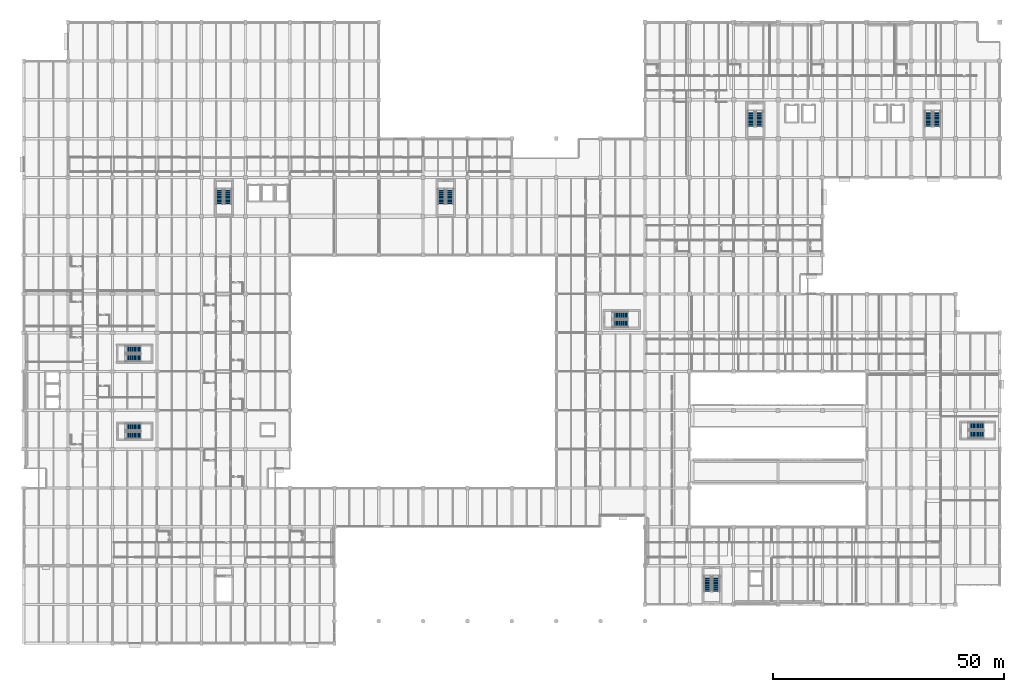
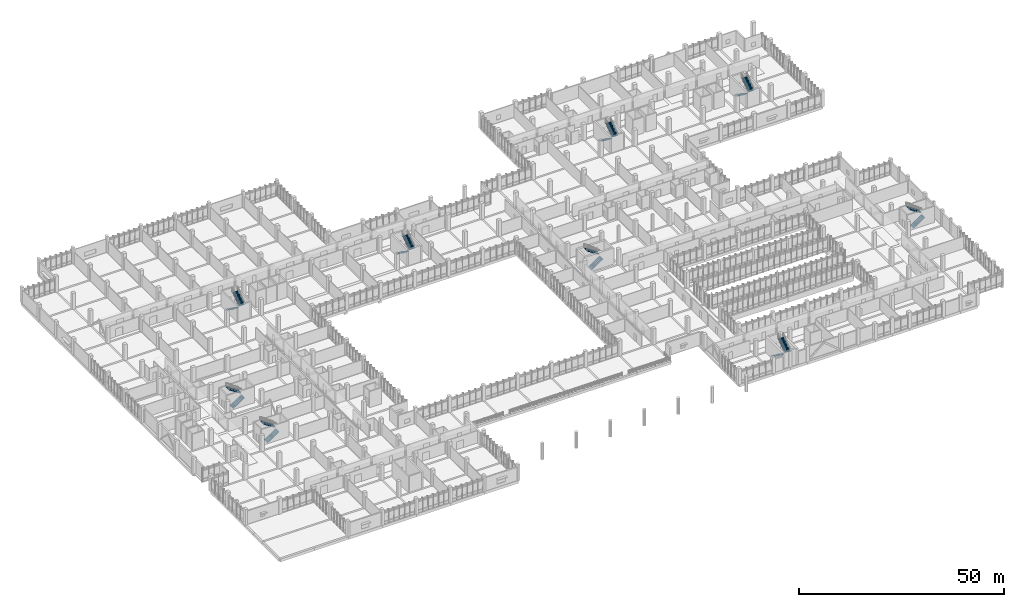
# One storey, part 135 of 152: 18 stair flights, 9 elements without a shape of their own.
"""IFC4 building model written with IfcOpenShell, lengths in metres."""

from ifc_helpers import new_model, si_unit, direction, frame, origin, place, context, subcontext, project, spatial, polyline, outline, extrude, material, type_object, element, aggregate, save


model = new_model("IFC4")

# Units and contexts
model_context = context("Model", 3, precision=1e-05, world=origin(), true_north=direction((0.0, 1.0)))
body_context = subcontext(model_context, "Body", "Model", "MODEL_VIEW")
ifc_project = project(units=[si_unit("LENGTHUNIT", "METRE"), si_unit("AREAUNIT", "SQUARE_METRE"), si_unit("VOLUMEUNIT", "CUBIC_METRE"), si_unit("PLANEANGLEUNIT", "RADIAN"), si_unit("MASSUNIT", "GRAM", prefix="KILO")], contexts=[model_context])

# Site, building, storey
site_placement = place(None, origin())
site = spatial("IfcSite", under=ifc_project, at=site_placement, CompositionType="ELEMENT")
building_placement = place(site_placement, origin())
building = spatial("IfcBuilding", under=site, at=building_placement, Name="Oolite Switchyard Hospital", CompositionType="ELEMENT")
storey_placement = place(building_placement, frame((0.0, 0.0, 5.10009765625)))
storey = spatial("IfcBuildingStorey", under=building, at=storey_placement, Name="L01", CompositionType="ELEMENT", Elevation=5.10009765625)

# Stair, stair flights
ifc_material = material(Name="Concrete C40/50", Category="concrete")
stair_type = type_object("IfcStairType", Name="STR-DL-156-R26", PredefinedType="HALF_TURN_STAIR", material=ifc_material)
stair_1_placement = place(storey_placement, origin())
stair_1 = element("IfcStair", 1, at=stair_1_placement, inside=storey, type_object=stair_type, Name="L01 Exit Stair ST-01", PredefinedType="HALF_TURN_STAIR")
stair_flight_type = type_object("IfcStairFlightType", Name="FLT-DL-156-R13", PredefinedType="STRAIGHT", material=ifc_material)
stair_flight_1_placement = place(storey_placement, frame((21.9599609375, 44.97998046875, 0.0), z_axis=(0.0, 0.0, 1.0), x_axis=(1.0, 0.0, 0.0)))
stair_flight_1 = element("IfcStairFlight", 2, at=stair_flight_1_placement, type_object=stair_flight_type, Name="ST-01 flight 1", NumberOfRisers=13, NumberOfTreads=12, PredefinedType="STRAIGHT", RiserHeight=0.184615385, TreadLength=0.28, context=body_context, shape_type="SweptSolid", body=[
    extrude(outline(polyline([(0.0, 0.0), (0.0, 0.1845703125), (0.280029296875, 0.1845703125), (0.280029296875, 0.369140625), (0.56005859375, 0.369140625), (0.56005859375, 0.553955078125), (0.840087890625, 0.553955078125), (0.840087890625, 0.738525390625), (1.1201171875, 0.738525390625), (1.1201171875, 0.923095703125), (1.39990234375, 0.923095703125), (1.39990234375, 1.107666015625), (1.679931640625, 1.107666015625), (1.679931640625, 1.292236328125), (1.9599609375, 1.292236328125), (1.9599609375, 1.476806640625), (2.239990234375, 1.476806640625), (2.239990234375, 1.66162109375), (2.52001953125, 1.66162109375), (2.52001953125, 1.84619140625), (2.800048828125, 1.84619140625), (2.800048828125, 2.03076171875), (3.080078125, 2.03076171875), (3.080078125, 2.21533203125), (3.360107421875, 2.21533203125), (3.360107421875, 2.39990234375), (3.360107421875, 2.035888671875), (0.272216796875, 0.0), (0.0, 0.0)])), frame((0.0, 0.780029296875, 0.0), z_axis=(0.0, -1.0, 0.0), x_axis=(1.0, 0.0, 0.0)), (0.0, 0.0, 1.0), 1.56005859375),
])
stair_flight_2_placement = place(storey_placement, frame((25.320068359375, 46.780029296875, 2.39990234375), z_axis=(0.0, 0.0, 1.0), x_axis=(-1.0, 0.0, 0.0)))
stair_flight_2 = element("IfcStairFlight", 3, at=stair_flight_2_placement, type_object=stair_flight_type, Name="ST-01 flight 2", NumberOfRisers=13, NumberOfTreads=12, PredefinedType="STRAIGHT", RiserHeight=0.184615385, TreadLength=0.28, context=body_context, shape_type="SweptSolid", body=[
    extrude(outline(polyline([(0.0, 0.0), (0.0, 0.1845703125), (0.280029296875, 0.1845703125), (0.280029296875, 0.369140625), (0.56005859375, 0.369140625), (0.56005859375, 0.553955078125), (0.840087890625, 0.553955078125), (0.840087890625, 0.738525390625), (1.1201171875, 0.738525390625), (1.1201171875, 0.923095703125), (1.39990234375, 0.923095703125), (1.39990234375, 1.107666015625), (1.679931640625, 1.107666015625), (1.679931640625, 1.292236328125), (1.9599609375, 1.292236328125), (1.9599609375, 1.476806640625), (2.239990234375, 1.476806640625), (2.239990234375, 1.66162109375), (2.52001953125, 1.66162109375), (2.52001953125, 1.84619140625), (2.800048828125, 1.84619140625), (2.800048828125, 2.03076171875), (3.080078125, 2.03076171875), (3.080078125, 2.21533203125), (3.360107421875, 2.21533203125), (3.360107421875, 2.39990234375), (3.360107421875, 2.035888671875), (0.272216796875, 0.0), (0.0, 0.0)])), frame((0.0, 0.780029296875, 0.0), z_axis=(0.0, -1.0, 0.0), x_axis=(1.0, 0.0, 0.0)), (0.0, 0.0, 1.0), 1.56005859375),
])
aggregate(stair_1, [stair_flight_1, stair_flight_2])

stair_2_placement = place(storey_placement, origin())
stair_2 = element("IfcStair", 4, at=stair_2_placement, inside=storey, type_object=stair_type, Name="L01 Exit Stair ST-02", PredefinedType="HALF_TURN_STAIR")
stair_flight_3_placement = place(storey_placement, frame((21.9599609375, 61.780029296875, 0.0), z_axis=(0.0, 0.0, 1.0), x_axis=(1.0, 0.0, 0.0)))
stair_flight_3 = element("IfcStairFlight", 5, at=stair_flight_3_placement, type_object=stair_flight_type, Name="ST-02 flight 1", NumberOfRisers=13, NumberOfTreads=12, PredefinedType="STRAIGHT", RiserHeight=0.184615385, TreadLength=0.28, context=body_context, shape_type="SweptSolid", body=[
    extrude(outline(polyline([(0.0, 0.0), (0.0, 0.1845703125), (0.280029296875, 0.1845703125), (0.280029296875, 0.369140625), (0.56005859375, 0.369140625), (0.56005859375, 0.553955078125), (0.840087890625, 0.553955078125), (0.840087890625, 0.738525390625), (1.1201171875, 0.738525390625), (1.1201171875, 0.923095703125), (1.39990234375, 0.923095703125), (1.39990234375, 1.107666015625), (1.679931640625, 1.107666015625), (1.679931640625, 1.292236328125), (1.9599609375, 1.292236328125), (1.9599609375, 1.476806640625), (2.239990234375, 1.476806640625), (2.239990234375, 1.66162109375), (2.52001953125, 1.66162109375), (2.52001953125, 1.84619140625), (2.800048828125, 1.84619140625), (2.800048828125, 2.03076171875), (3.080078125, 2.03076171875), (3.080078125, 2.21533203125), (3.360107421875, 2.21533203125), (3.360107421875, 2.39990234375), (3.360107421875, 2.035888671875), (0.272216796875, 0.0), (0.0, 0.0)])), frame((0.0, 0.780029296875, 0.0), z_axis=(0.0, -1.0, 0.0), x_axis=(1.0, 0.0, 0.0)), (0.0, 0.0, 1.0), 1.56005859375),
])
stair_flight_4_placement = place(storey_placement, frame((25.320068359375, 63.580078125, 2.39990234375), z_axis=(0.0, 0.0, 1.0), x_axis=(-1.0, 0.0, 0.0)))
stair_flight_4 = element("IfcStairFlight", 6, at=stair_flight_4_placement, type_object=stair_flight_type, Name="ST-02 flight 2", NumberOfRisers=13, NumberOfTreads=12, PredefinedType="STRAIGHT", RiserHeight=0.184615385, TreadLength=0.28, context=body_context, shape_type="SweptSolid", body=[
    extrude(outline(polyline([(0.0, 0.0), (0.0, 0.1845703125), (0.280029296875, 0.1845703125), (0.280029296875, 0.369140625), (0.56005859375, 0.369140625), (0.56005859375, 0.553955078125), (0.840087890625, 0.553955078125), (0.840087890625, 0.738525390625), (1.1201171875, 0.738525390625), (1.1201171875, 0.923095703125), (1.39990234375, 0.923095703125), (1.39990234375, 1.107666015625), (1.679931640625, 1.107666015625), (1.679931640625, 1.292236328125), (1.9599609375, 1.292236328125), (1.9599609375, 1.476806640625), (2.239990234375, 1.476806640625), (2.239990234375, 1.66162109375), (2.52001953125, 1.66162109375), (2.52001953125, 1.84619140625), (2.800048828125, 1.84619140625), (2.800048828125, 2.03076171875), (3.080078125, 2.03076171875), (3.080078125, 2.21533203125), (3.360107421875, 2.21533203125), (3.360107421875, 2.39990234375), (3.360107421875, 2.035888671875), (0.272216796875, 0.0), (0.0, 0.0)])), frame((0.0, 0.780029296875, 0.0), z_axis=(0.0, -1.0, 0.0), x_axis=(1.0, 0.0, 0.0)), (0.0, 0.0, 1.0), 1.56005859375),
])
aggregate(stair_2, [stair_flight_3, stair_flight_4])

stair_3_placement = place(storey_placement, origin())
stair_3 = element("IfcStair", 7, at=stair_3_placement, inside=storey, type_object=stair_type, Name="L01 Exit Stair ST-03", PredefinedType="HALF_TURN_STAIR")
stair_flight_5_placement = place(storey_placement, frame((157.3798828125, 115.18994140625, 0.0), z_axis=(0.0, 0.0, 1.0), x_axis=(0.0, -1.0, 0.0)))
stair_flight_5 = element("IfcStairFlight", 8, at=stair_flight_5_placement, type_object=stair_flight_type, Name="ST-03 flight 1", NumberOfRisers=13, NumberOfTreads=12, PredefinedType="STRAIGHT", RiserHeight=0.184615385, TreadLength=0.28, context=body_context, shape_type="SweptSolid", body=[
    extrude(outline(polyline([(0.0, 0.0), (0.0, 0.1845703125), (0.280029296875, 0.1845703125), (0.280029296875, 0.369140625), (0.56005859375, 0.369140625), (0.56005859375, 0.553955078125), (0.840087890625, 0.553955078125), (0.840087890625, 0.738525390625), (1.1201171875, 0.738525390625), (1.1201171875, 0.923095703125), (1.39990234375, 0.923095703125), (1.39990234375, 1.107666015625), (1.679931640625, 1.107666015625), (1.679931640625, 1.292236328125), (1.9599609375, 1.292236328125), (1.9599609375, 1.476806640625), (2.239990234375, 1.476806640625), (2.239990234375, 1.66162109375), (2.52001953125, 1.66162109375), (2.52001953125, 1.84619140625), (2.800048828125, 1.84619140625), (2.800048828125, 2.03076171875), (3.080078125, 2.03076171875), (3.080078125, 2.21533203125), (3.360107421875, 2.21533203125), (3.360107421875, 2.39990234375), (3.360107421875, 2.035888671875), (0.272216796875, 0.0), (0.0, 0.0)])), frame((0.0, 0.780029296875, 0.0), z_axis=(0.0, -1.0, 0.0), x_axis=(1.0, 0.0, 0.0)), (0.0, 0.0, 1.0), 1.56005859375),
])
stair_flight_6_placement = place(storey_placement, frame((159.179931640625, 111.830078125, 2.39990234375), z_axis=(0.0, 0.0, 1.0), x_axis=(0.0, 1.0, 0.0)))
stair_flight_6 = element("IfcStairFlight", 9, at=stair_flight_6_placement, type_object=stair_flight_type, Name="ST-03 flight 2", NumberOfRisers=13, NumberOfTreads=12, PredefinedType="STRAIGHT", RiserHeight=0.184615385, TreadLength=0.28, context=body_context, shape_type="SweptSolid", body=[
    extrude(outline(polyline([(0.0, 0.0), (0.0, 0.1845703125), (0.280029296875, 0.1845703125), (0.280029296875, 0.369140625), (0.56005859375, 0.369140625), (0.56005859375, 0.553955078125), (0.840087890625, 0.553955078125), (0.840087890625, 0.738525390625), (1.1201171875, 0.738525390625), (1.1201171875, 0.923095703125), (1.39990234375, 0.923095703125), (1.39990234375, 1.107666015625), (1.679931640625, 1.107666015625), (1.679931640625, 1.292236328125), (1.9599609375, 1.292236328125), (1.9599609375, 1.476806640625), (2.239990234375, 1.476806640625), (2.239990234375, 1.66162109375), (2.52001953125, 1.66162109375), (2.52001953125, 1.84619140625), (2.800048828125, 1.84619140625), (2.800048828125, 2.03076171875), (3.080078125, 2.03076171875), (3.080078125, 2.21533203125), (3.360107421875, 2.21533203125), (3.360107421875, 2.39990234375), (3.360107421875, 2.035888671875), (0.272216796875, 0.0), (0.0, 0.0)])), frame((0.0, 0.780029296875, 0.0), z_axis=(0.0, -1.0, 0.0), x_axis=(1.0, 0.0, 0.0)), (0.0, 0.0, 1.0), 1.56005859375),
])
aggregate(stair_3, [stair_flight_5, stair_flight_6])

stair_4_placement = place(storey_placement, origin())
stair_4 = element("IfcStair", 10, at=stair_4_placement, inside=storey, type_object=stair_type, Name="L01 Exit Stair ST-04", PredefinedType="HALF_TURN_STAIR")
stair_flight_7_placement = place(storey_placement, frame((195.780029296875, 115.18994140625, 0.0), z_axis=(0.0, 0.0, 1.0), x_axis=(0.0, -1.0, 0.0)))
stair_flight_7 = element("IfcStairFlight", 11, at=stair_flight_7_placement, type_object=stair_flight_type, Name="ST-04 flight 1", NumberOfRisers=13, NumberOfTreads=12, PredefinedType="STRAIGHT", RiserHeight=0.184615385, TreadLength=0.28, context=body_context, shape_type="SweptSolid", body=[
    extrude(outline(polyline([(0.0, 0.0), (0.0, 0.1845703125), (0.280029296875, 0.1845703125), (0.280029296875, 0.369140625), (0.56005859375, 0.369140625), (0.56005859375, 0.553955078125), (0.840087890625, 0.553955078125), (0.840087890625, 0.738525390625), (1.1201171875, 0.738525390625), (1.1201171875, 0.923095703125), (1.39990234375, 0.923095703125), (1.39990234375, 1.107666015625), (1.679931640625, 1.107666015625), (1.679931640625, 1.292236328125), (1.9599609375, 1.292236328125), (1.9599609375, 1.476806640625), (2.239990234375, 1.476806640625), (2.239990234375, 1.66162109375), (2.52001953125, 1.66162109375), (2.52001953125, 1.84619140625), (2.800048828125, 1.84619140625), (2.800048828125, 2.03076171875), (3.080078125, 2.03076171875), (3.080078125, 2.21533203125), (3.360107421875, 2.21533203125), (3.360107421875, 2.39990234375), (3.360107421875, 2.035888671875), (0.272216796875, 0.0), (0.0, 0.0)])), frame((0.0, 0.780029296875, 0.0), z_axis=(0.0, -1.0, 0.0), x_axis=(1.0, 0.0, 0.0)), (0.0, 0.0, 1.0), 1.56005859375),
])
stair_flight_8_placement = place(storey_placement, frame((197.580078125, 111.830078125, 2.39990234375), z_axis=(0.0, 0.0, 1.0), x_axis=(0.0, 1.0, 0.0)))
stair_flight_8 = element("IfcStairFlight", 12, at=stair_flight_8_placement, type_object=stair_flight_type, Name="ST-04 flight 2", NumberOfRisers=13, NumberOfTreads=12, PredefinedType="STRAIGHT", RiserHeight=0.184615385, TreadLength=0.28, context=body_context, shape_type="SweptSolid", body=[
    extrude(outline(polyline([(0.0, 0.0), (0.0, 0.1845703125), (0.280029296875, 0.1845703125), (0.280029296875, 0.369140625), (0.56005859375, 0.369140625), (0.56005859375, 0.553955078125), (0.840087890625, 0.553955078125), (0.840087890625, 0.738525390625), (1.1201171875, 0.738525390625), (1.1201171875, 0.923095703125), (1.39990234375, 0.923095703125), (1.39990234375, 1.107666015625), (1.679931640625, 1.107666015625), (1.679931640625, 1.292236328125), (1.9599609375, 1.292236328125), (1.9599609375, 1.476806640625), (2.239990234375, 1.476806640625), (2.239990234375, 1.66162109375), (2.52001953125, 1.66162109375), (2.52001953125, 1.84619140625), (2.800048828125, 1.84619140625), (2.800048828125, 2.03076171875), (3.080078125, 2.03076171875), (3.080078125, 2.21533203125), (3.360107421875, 2.21533203125), (3.360107421875, 2.39990234375), (3.360107421875, 2.035888671875), (0.272216796875, 0.0), (0.0, 0.0)])), frame((0.0, 0.780029296875, 0.0), z_axis=(0.0, -1.0, 0.0), x_axis=(1.0, 0.0, 0.0)), (0.0, 0.0, 1.0), 1.56005859375),
])
aggregate(stair_4, [stair_flight_7, stair_flight_8])

stair_5_placement = place(storey_placement, origin())
stair_5 = element("IfcStair", 13, at=stair_5_placement, inside=storey, type_object=stair_type, Name="L01 Exit Stair ST-05", PredefinedType="HALF_TURN_STAIR")
stair_flight_9_placement = place(storey_placement, frame((147.97998046875, 14.590087890625, 0.0), z_axis=(0.0, 0.0, 1.0), x_axis=(0.0, -1.0, 0.0)))
stair_flight_9 = element("IfcStairFlight", 14, at=stair_flight_9_placement, type_object=stair_flight_type, Name="ST-05 flight 1", NumberOfRisers=13, NumberOfTreads=12, PredefinedType="STRAIGHT", RiserHeight=0.184615385, TreadLength=0.28, context=body_context, shape_type="SweptSolid", body=[
    extrude(outline(polyline([(0.0, 0.0), (0.0, 0.1845703125), (0.280029296875, 0.1845703125), (0.280029296875, 0.369140625), (0.56005859375, 0.369140625), (0.56005859375, 0.553955078125), (0.840087890625, 0.553955078125), (0.840087890625, 0.738525390625), (1.1201171875, 0.738525390625), (1.1201171875, 0.923095703125), (1.39990234375, 0.923095703125), (1.39990234375, 1.107666015625), (1.679931640625, 1.107666015625), (1.679931640625, 1.292236328125), (1.9599609375, 1.292236328125), (1.9599609375, 1.476806640625), (2.239990234375, 1.476806640625), (2.239990234375, 1.66162109375), (2.52001953125, 1.66162109375), (2.52001953125, 1.84619140625), (2.800048828125, 1.84619140625), (2.800048828125, 2.03076171875), (3.080078125, 2.03076171875), (3.080078125, 2.21533203125), (3.360107421875, 2.21533203125), (3.360107421875, 2.39990234375), (3.360107421875, 2.035888671875), (0.272216796875, 0.0), (0.0, 0.0)])), frame((0.0, 0.780029296875, 0.0), z_axis=(0.0, -1.0, 0.0), x_axis=(1.0, 0.0, 0.0)), (0.0, 0.0, 1.0), 1.56005859375),
])
stair_flight_10_placement = place(storey_placement, frame((149.780029296875, 11.22998046875, 2.39990234375), z_axis=(0.0, 0.0, 1.0), x_axis=(0.0, 1.0, 0.0)))
stair_flight_10 = element("IfcStairFlight", 15, at=stair_flight_10_placement, type_object=stair_flight_type, Name="ST-05 flight 2", NumberOfRisers=13, NumberOfTreads=12, PredefinedType="STRAIGHT", RiserHeight=0.184615385, TreadLength=0.28, context=body_context, shape_type="SweptSolid", body=[
    extrude(outline(polyline([(0.0, 0.0), (0.0, 0.1845703125), (0.280029296875, 0.1845703125), (0.280029296875, 0.369140625), (0.56005859375, 0.369140625), (0.56005859375, 0.553955078125), (0.840087890625, 0.553955078125), (0.840087890625, 0.738525390625), (1.1201171875, 0.738525390625), (1.1201171875, 0.923095703125), (1.39990234375, 0.923095703125), (1.39990234375, 1.107666015625), (1.679931640625, 1.107666015625), (1.679931640625, 1.292236328125), (1.9599609375, 1.292236328125), (1.9599609375, 1.476806640625), (2.239990234375, 1.476806640625), (2.239990234375, 1.66162109375), (2.52001953125, 1.66162109375), (2.52001953125, 1.84619140625), (2.800048828125, 1.84619140625), (2.800048828125, 2.03076171875), (3.080078125, 2.03076171875), (3.080078125, 2.21533203125), (3.360107421875, 2.21533203125), (3.360107421875, 2.39990234375), (3.360107421875, 2.035888671875), (0.272216796875, 0.0), (0.0, 0.0)])), frame((0.0, 0.780029296875, 0.0), z_axis=(0.0, -1.0, 0.0), x_axis=(1.0, 0.0, 0.0)), (0.0, 0.0, 1.0), 1.56005859375),
])
aggregate(stair_5, [stair_flight_9, stair_flight_10])

stair_6_placement = place(storey_placement, origin())
stair_6 = element("IfcStair", 16, at=stair_6_placement, inside=storey, type_object=stair_type, Name="L01 Exit Stair ST-06", PredefinedType="HALF_TURN_STAIR")
stair_flight_11_placement = place(storey_placement, frame((204.360107421875, 45.179931640625, 0.0), z_axis=(0.0, 0.0, 1.0), x_axis=(1.0, 0.0, 0.0)))
stair_flight_11 = element("IfcStairFlight", 17, at=stair_flight_11_placement, type_object=stair_flight_type, Name="ST-06 flight 1", NumberOfRisers=13, NumberOfTreads=12, PredefinedType="STRAIGHT", RiserHeight=0.184615385, TreadLength=0.28, context=body_context, shape_type="SweptSolid", body=[
    extrude(outline(polyline([(0.0, 0.0), (0.0, 0.1845703125), (0.280029296875, 0.1845703125), (0.280029296875, 0.369140625), (0.56005859375, 0.369140625), (0.56005859375, 0.553955078125), (0.840087890625, 0.553955078125), (0.840087890625, 0.738525390625), (1.1201171875, 0.738525390625), (1.1201171875, 0.923095703125), (1.39990234375, 0.923095703125), (1.39990234375, 1.107666015625), (1.679931640625, 1.107666015625), (1.679931640625, 1.292236328125), (1.9599609375, 1.292236328125), (1.9599609375, 1.476806640625), (2.239990234375, 1.476806640625), (2.239990234375, 1.66162109375), (2.52001953125, 1.66162109375), (2.52001953125, 1.84619140625), (2.800048828125, 1.84619140625), (2.800048828125, 2.03076171875), (3.080078125, 2.03076171875), (3.080078125, 2.21533203125), (3.360107421875, 2.21533203125), (3.360107421875, 2.39990234375), (3.360107421875, 2.035888671875), (0.272216796875, 0.0), (0.0, 0.0)])), frame((0.0, 0.780029296875, 0.0), z_axis=(0.0, -1.0, 0.0), x_axis=(1.0, 0.0, 0.0)), (0.0, 0.0, 1.0), 1.56005859375),
])
stair_flight_12_placement = place(storey_placement, frame((207.719970703125, 46.97998046875, 2.39990234375), z_axis=(0.0, 0.0, 1.0), x_axis=(-1.0, 0.0, 0.0)))
stair_flight_12 = element("IfcStairFlight", 18, at=stair_flight_12_placement, type_object=stair_flight_type, Name="ST-06 flight 2", NumberOfRisers=13, NumberOfTreads=12, PredefinedType="STRAIGHT", RiserHeight=0.184615385, TreadLength=0.28, context=body_context, shape_type="SweptSolid", body=[
    extrude(outline(polyline([(0.0, 0.0), (0.0, 0.1845703125), (0.280029296875, 0.1845703125), (0.280029296875, 0.369140625), (0.56005859375, 0.369140625), (0.56005859375, 0.553955078125), (0.840087890625, 0.553955078125), (0.840087890625, 0.738525390625), (1.1201171875, 0.738525390625), (1.1201171875, 0.923095703125), (1.39990234375, 0.923095703125), (1.39990234375, 1.107666015625), (1.679931640625, 1.107666015625), (1.679931640625, 1.292236328125), (1.9599609375, 1.292236328125), (1.9599609375, 1.476806640625), (2.239990234375, 1.476806640625), (2.239990234375, 1.66162109375), (2.52001953125, 1.66162109375), (2.52001953125, 1.84619140625), (2.800048828125, 1.84619140625), (2.800048828125, 2.03076171875), (3.080078125, 2.03076171875), (3.080078125, 2.21533203125), (3.360107421875, 2.21533203125), (3.360107421875, 2.39990234375), (3.360107421875, 2.035888671875), (0.272216796875, 0.0), (0.0, 0.0)])), frame((0.0, 0.780029296875, 0.0), z_axis=(0.0, -1.0, 0.0), x_axis=(1.0, 0.0, 0.0)), (0.0, 0.0, 1.0), 1.56005859375),
])
aggregate(stair_6, [stair_flight_11, stair_flight_12])

stair_7_placement = place(storey_placement, origin())
stair_7 = element("IfcStair", 19, at=stair_7_placement, inside=storey, type_object=stair_type, Name="L01 Exit Stair ST-07", PredefinedType="HALF_TURN_STAIR")
stair_flight_13_placement = place(storey_placement, frame((42.3798828125, 98.389892578125, 0.0), z_axis=(0.0, 0.0, 1.0), x_axis=(0.0, -1.0, 0.0)))
stair_flight_13 = element("IfcStairFlight", 20, at=stair_flight_13_placement, type_object=stair_flight_type, Name="ST-07 flight 1", NumberOfRisers=13, NumberOfTreads=12, PredefinedType="STRAIGHT", RiserHeight=0.184615385, TreadLength=0.28, context=body_context, shape_type="SweptSolid", body=[
    extrude(outline(polyline([(0.0, 0.0), (0.0, 0.1845703125), (0.280029296875, 0.1845703125), (0.280029296875, 0.369140625), (0.56005859375, 0.369140625), (0.56005859375, 0.553955078125), (0.840087890625, 0.553955078125), (0.840087890625, 0.738525390625), (1.1201171875, 0.738525390625), (1.1201171875, 0.923095703125), (1.39990234375, 0.923095703125), (1.39990234375, 1.107666015625), (1.679931640625, 1.107666015625), (1.679931640625, 1.292236328125), (1.9599609375, 1.292236328125), (1.9599609375, 1.476806640625), (2.239990234375, 1.476806640625), (2.239990234375, 1.66162109375), (2.52001953125, 1.66162109375), (2.52001953125, 1.84619140625), (2.800048828125, 1.84619140625), (2.800048828125, 2.03076171875), (3.080078125, 2.03076171875), (3.080078125, 2.21533203125), (3.360107421875, 2.21533203125), (3.360107421875, 2.39990234375), (3.360107421875, 2.035888671875), (0.272216796875, 0.0), (0.0, 0.0)])), frame((0.0, 0.780029296875, 0.0), z_axis=(0.0, -1.0, 0.0), x_axis=(1.0, 0.0, 0.0)), (0.0, 0.0, 1.0), 1.56005859375),
])
stair_flight_14_placement = place(storey_placement, frame((44.179931640625, 95.030029296875, 2.39990234375), z_axis=(0.0, 0.0, 1.0), x_axis=(0.0, 1.0, 0.0)))
stair_flight_14 = element("IfcStairFlight", 21, at=stair_flight_14_placement, type_object=stair_flight_type, Name="ST-07 flight 2", NumberOfRisers=13, NumberOfTreads=12, PredefinedType="STRAIGHT", RiserHeight=0.184615385, TreadLength=0.28, context=body_context, shape_type="SweptSolid", body=[
    extrude(outline(polyline([(0.0, 0.0), (0.0, 0.1845703125), (0.280029296875, 0.1845703125), (0.280029296875, 0.369140625), (0.56005859375, 0.369140625), (0.56005859375, 0.553955078125), (0.840087890625, 0.553955078125), (0.840087890625, 0.738525390625), (1.1201171875, 0.738525390625), (1.1201171875, 0.923095703125), (1.39990234375, 0.923095703125), (1.39990234375, 1.107666015625), (1.679931640625, 1.107666015625), (1.679931640625, 1.292236328125), (1.9599609375, 1.292236328125), (1.9599609375, 1.476806640625), (2.239990234375, 1.476806640625), (2.239990234375, 1.66162109375), (2.52001953125, 1.66162109375), (2.52001953125, 1.84619140625), (2.800048828125, 1.84619140625), (2.800048828125, 2.03076171875), (3.080078125, 2.03076171875), (3.080078125, 2.21533203125), (3.360107421875, 2.21533203125), (3.360107421875, 2.39990234375), (3.360107421875, 2.035888671875), (0.272216796875, 0.0), (0.0, 0.0)])), frame((0.0, 0.780029296875, 0.0), z_axis=(0.0, -1.0, 0.0), x_axis=(1.0, 0.0, 0.0)), (0.0, 0.0, 1.0), 1.56005859375),
])
aggregate(stair_7, [stair_flight_13, stair_flight_14])

stair_8_placement = place(storey_placement, origin())
stair_8 = element("IfcStair", 22, at=stair_8_placement, inside=storey, type_object=stair_type, Name="L01 Exit Stair ST-09", PredefinedType="HALF_TURN_STAIR")
stair_flight_15_placement = place(storey_placement, frame((90.3798828125, 98.389892578125, 0.0), z_axis=(0.0, 0.0, 1.0), x_axis=(0.0, -1.0, 0.0)))
stair_flight_15 = element("IfcStairFlight", 23, at=stair_flight_15_placement, type_object=stair_flight_type, Name="ST-09 flight 1", NumberOfRisers=13, NumberOfTreads=12, PredefinedType="STRAIGHT", RiserHeight=0.184615385, TreadLength=0.28, context=body_context, shape_type="SweptSolid", body=[
    extrude(outline(polyline([(0.0, 0.0), (0.0, 0.1845703125), (0.280029296875, 0.1845703125), (0.280029296875, 0.369140625), (0.56005859375, 0.369140625), (0.56005859375, 0.553955078125), (0.840087890625, 0.553955078125), (0.840087890625, 0.738525390625), (1.1201171875, 0.738525390625), (1.1201171875, 0.923095703125), (1.39990234375, 0.923095703125), (1.39990234375, 1.107666015625), (1.679931640625, 1.107666015625), (1.679931640625, 1.292236328125), (1.9599609375, 1.292236328125), (1.9599609375, 1.476806640625), (2.239990234375, 1.476806640625), (2.239990234375, 1.66162109375), (2.52001953125, 1.66162109375), (2.52001953125, 1.84619140625), (2.800048828125, 1.84619140625), (2.800048828125, 2.03076171875), (3.080078125, 2.03076171875), (3.080078125, 2.21533203125), (3.360107421875, 2.21533203125), (3.360107421875, 2.39990234375), (3.360107421875, 2.035888671875), (0.272216796875, 0.0), (0.0, 0.0)])), frame((0.0, 0.780029296875, 0.0), z_axis=(0.0, -1.0, 0.0), x_axis=(1.0, 0.0, 0.0)), (0.0, 0.0, 1.0), 1.56005859375),
])
stair_flight_16_placement = place(storey_placement, frame((92.179931640625, 95.030029296875, 2.39990234375), z_axis=(0.0, 0.0, 1.0), x_axis=(0.0, 1.0, 0.0)))
stair_flight_16 = element("IfcStairFlight", 24, at=stair_flight_16_placement, type_object=stair_flight_type, Name="ST-09 flight 2", NumberOfRisers=13, NumberOfTreads=12, PredefinedType="STRAIGHT", RiserHeight=0.184615385, TreadLength=0.28, context=body_context, shape_type="SweptSolid", body=[
    extrude(outline(polyline([(0.0, 0.0), (0.0, 0.1845703125), (0.280029296875, 0.1845703125), (0.280029296875, 0.369140625), (0.56005859375, 0.369140625), (0.56005859375, 0.553955078125), (0.840087890625, 0.553955078125), (0.840087890625, 0.738525390625), (1.1201171875, 0.738525390625), (1.1201171875, 0.923095703125), (1.39990234375, 0.923095703125), (1.39990234375, 1.107666015625), (1.679931640625, 1.107666015625), (1.679931640625, 1.292236328125), (1.9599609375, 1.292236328125), (1.9599609375, 1.476806640625), (2.239990234375, 1.476806640625), (2.239990234375, 1.66162109375), (2.52001953125, 1.66162109375), (2.52001953125, 1.84619140625), (2.800048828125, 1.84619140625), (2.800048828125, 2.03076171875), (3.080078125, 2.03076171875), (3.080078125, 2.21533203125), (3.360107421875, 2.21533203125), (3.360107421875, 2.39990234375), (3.360107421875, 2.035888671875), (0.272216796875, 0.0), (0.0, 0.0)])), frame((0.0, 0.780029296875, 0.0), z_axis=(0.0, -1.0, 0.0), x_axis=(1.0, 0.0, 0.0)), (0.0, 0.0, 1.0), 1.56005859375),
])
aggregate(stair_8, [stair_flight_15, stair_flight_16])

stair_9_placement = place(storey_placement, origin())
stair_9 = element("IfcStair", 25, at=stair_9_placement, inside=storey, type_object=stair_type, Name="L01 Exit Stair ST-10", PredefinedType="HALF_TURN_STAIR")
stair_flight_17_placement = place(storey_placement, frame((127.360107421875, 69.179931640625, 0.0), z_axis=(0.0, 0.0, 1.0), x_axis=(1.0, 0.0, 0.0)))
stair_flight_17 = element("IfcStairFlight", 26, at=stair_flight_17_placement, type_object=stair_flight_type, Name="ST-10 flight 1", NumberOfRisers=13, NumberOfTreads=12, PredefinedType="STRAIGHT", RiserHeight=0.184615385, TreadLength=0.28, context=body_context, shape_type="SweptSolid", body=[
    extrude(outline(polyline([(0.0, 0.0), (0.0, 0.1845703125), (0.280029296875, 0.1845703125), (0.280029296875, 0.369140625), (0.56005859375, 0.369140625), (0.56005859375, 0.553955078125), (0.840087890625, 0.553955078125), (0.840087890625, 0.738525390625), (1.1201171875, 0.738525390625), (1.1201171875, 0.923095703125), (1.39990234375, 0.923095703125), (1.39990234375, 1.107666015625), (1.679931640625, 1.107666015625), (1.679931640625, 1.292236328125), (1.9599609375, 1.292236328125), (1.9599609375, 1.476806640625), (2.239990234375, 1.476806640625), (2.239990234375, 1.66162109375), (2.52001953125, 1.66162109375), (2.52001953125, 1.84619140625), (2.800048828125, 1.84619140625), (2.800048828125, 2.03076171875), (3.080078125, 2.03076171875), (3.080078125, 2.21533203125), (3.360107421875, 2.21533203125), (3.360107421875, 2.39990234375), (3.360107421875, 2.035888671875), (0.272216796875, 0.0), (0.0, 0.0)])), frame((0.0, 0.780029296875, 0.0), z_axis=(0.0, -1.0, 0.0), x_axis=(1.0, 0.0, 0.0)), (0.0, 0.0, 1.0), 1.56005859375),
])
stair_flight_18_placement = place(storey_placement, frame((130.719970703125, 70.97998046875, 2.39990234375), z_axis=(0.0, 0.0, 1.0), x_axis=(-1.0, 0.0, 0.0)))
stair_flight_18 = element("IfcStairFlight", 27, at=stair_flight_18_placement, type_object=stair_flight_type, Name="ST-10 flight 2", NumberOfRisers=13, NumberOfTreads=12, PredefinedType="STRAIGHT", RiserHeight=0.184615385, TreadLength=0.28, context=body_context, shape_type="SweptSolid", body=[
    extrude(outline(polyline([(0.0, 0.0), (0.0, 0.1845703125), (0.280029296875, 0.1845703125), (0.280029296875, 0.369140625), (0.56005859375, 0.369140625), (0.56005859375, 0.553955078125), (0.840087890625, 0.553955078125), (0.840087890625, 0.738525390625), (1.1201171875, 0.738525390625), (1.1201171875, 0.923095703125), (1.39990234375, 0.923095703125), (1.39990234375, 1.107666015625), (1.679931640625, 1.107666015625), (1.679931640625, 1.292236328125), (1.9599609375, 1.292236328125), (1.9599609375, 1.476806640625), (2.239990234375, 1.476806640625), (2.239990234375, 1.66162109375), (2.52001953125, 1.66162109375), (2.52001953125, 1.84619140625), (2.800048828125, 1.84619140625), (2.800048828125, 2.03076171875), (3.080078125, 2.03076171875), (3.080078125, 2.21533203125), (3.360107421875, 2.21533203125), (3.360107421875, 2.39990234375), (3.360107421875, 2.035888671875), (0.272216796875, 0.0), (0.0, 0.0)])), frame((0.0, 0.780029296875, 0.0), z_axis=(0.0, -1.0, 0.0), x_axis=(1.0, 0.0, 0.0)), (0.0, 0.0, 1.0), 1.56005859375),
])
aggregate(stair_9, [stair_flight_17, stair_flight_18])

save(model, "model.ifc")
